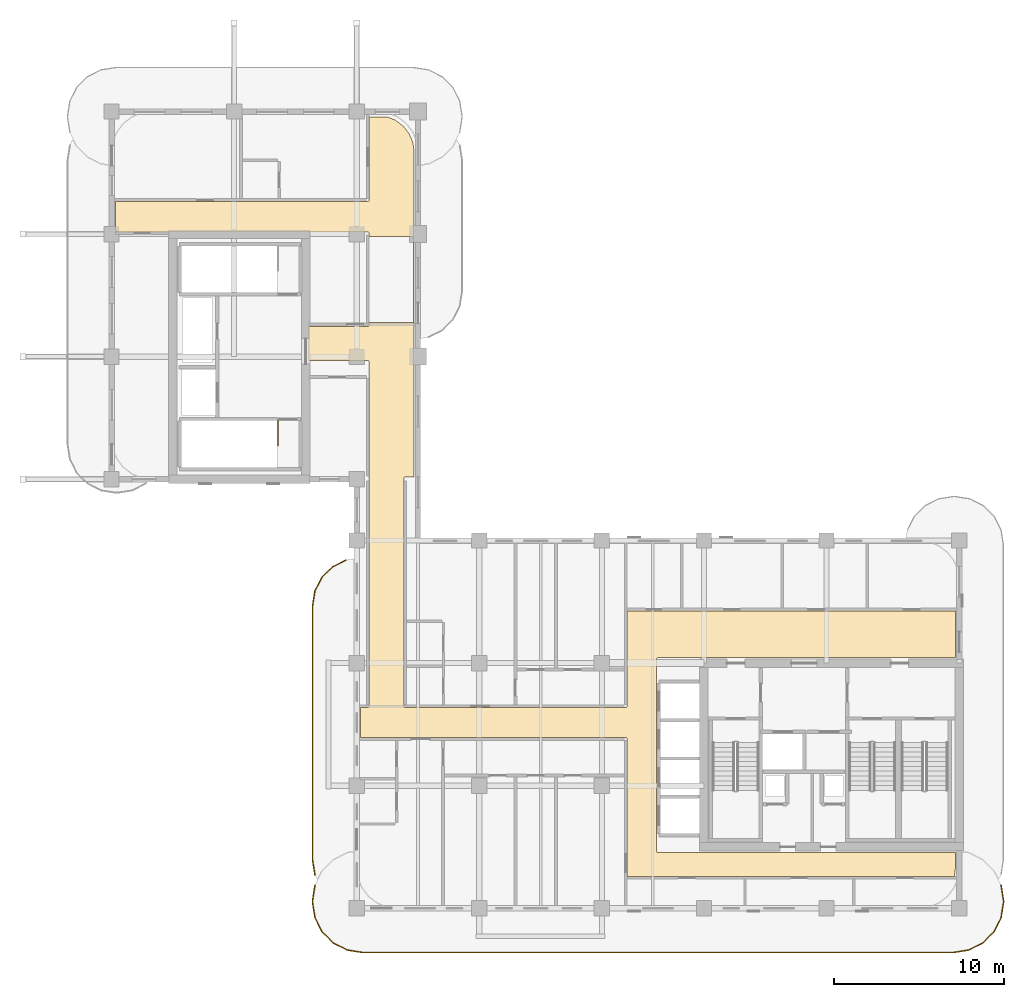
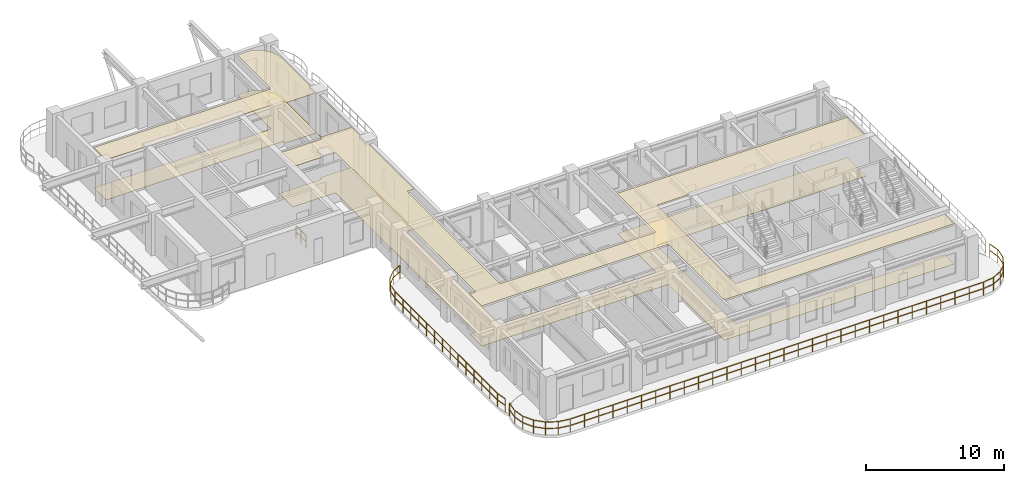
# One storey, part 12 of 14: 3 railings, 2 coverings.
"""IFC4 building model written with IfcOpenShell, lengths in metres."""

import ifcopenshell
import ifcopenshell.guid

model = None  # the IFC model being written
_history = None  # IfcOwnerHistory: only IFC2X3 demands one
_inside = {}  # id of a spatial element -> (the spatial element, [elements in it])
_under = {}  # id of a project, library or spatial element -> (it, [spatial elements below it])
_declared = {}  # id of a project -> (the project, [libraries it declares])
_typed = {}  # id of a type object -> (the type object, [elements of that type])
_made_of = {}  # id of a material, layer set ... -> (it, [elements and type objects made of it])


def new_model(schema):
    """Start an empty IFC model of exactly this schema.

    Asked for "IFC4X3", IfcOpenShell would pick the latest addendum, in which some entities
    have other attributes; the version numbers below select the first issue.
    IFC2X3 requires an IfcOwnerHistory on every rooted entity: one is made here for all.
    """
    global model, _history
    if schema == "IFC4X3":
        model = ifcopenshell.file(schema_version=(4, 3, 0, 0))
    else:
        model = ifcopenshell.file(schema=schema)
    _inside.clear()
    _under.clear()
    _declared.clear()
    _typed.clear()
    _made_of.clear()
    _history = None
    if model.schema == "IFC2X3":
        org = make("IfcOrganization", Name="unknown")
        user = make(
            "IfcPersonAndOrganization",
            ThePerson=make("IfcPerson", FamilyName="unknown"),
            TheOrganization=org,
        )
        app = make(
            "IfcApplication",
            ApplicationDeveloper=org,
            Version="unknown",
            ApplicationFullName="unknown",
            ApplicationIdentifier="unknown",
        )
        _history = make(
            "IfcOwnerHistory",
            OwningUser=user,
            OwningApplication=app,
            ChangeAction="ADDED",
            CreationDate=0,
        )
    return model


def make(cls, **values):
    """One entity of the class cls with the attributes given. An attribute that is None is left unset."""
    return model.create_entity(
        cls, **{name: value for name, value in values.items() if value is not None}
    )


def rooted(cls, **values):
    """An entity with a GlobalId (a new one), such as an element, a storey or a relation."""
    return make(cls, GlobalId=ifcopenshell.guid.new(), OwnerHistory=_history, **values)


def si_unit(unit_type, name, prefix=None):
    """IfcSIUnit, for example si_unit("LENGTHUNIT", "METRE", prefix="MILLI")."""
    return make("IfcSIUnit", UnitType=unit_type, Prefix=prefix, Name=name)


def derived_unit(unit_type, elements):
    """IfcDerivedUnit: a product of units, each with its exponent."""
    return make(
        "IfcDerivedUnit",
        Elements=[
            make("IfcDerivedUnitElement", Unit=unit, Exponent=power)
            for unit, power in elements
        ],
        UnitType=unit_type,
    )


def assignment(units):
    """IfcUnitAssignment: the units of a project."""
    return None if units is None else make("IfcUnitAssignment", Units=units)


def point(xyz):
    """IfcCartesianPoint."""
    return None if xyz is None else make("IfcCartesianPoint", Coordinates=xyz)


def direction(xyz):
    """IfcDirection."""
    return None if xyz is None else make("IfcDirection", DirectionRatios=xyz)


def frame(location, z_axis=None, x_axis=None):
    """IfcAxis2Placement3D, a coordinate frame: its origin and axes. An axis left out is left unset."""
    return make(
        "IfcAxis2Placement3D",
        Location=point(location),
        Axis=direction(z_axis),
        RefDirection=direction(x_axis),
    )


def frame_2d(location, x_axis=None):
    """IfcAxis2Placement2D, a coordinate frame in the plane: its origin and x axis."""
    return make(
        "IfcAxis2Placement2D", Location=point(location), RefDirection=direction(x_axis)
    )


def origin():
    """The frame at (0, 0, 0) with its axes left unset."""
    return frame((0.0, 0.0, 0.0))


def origin_2d():
    """The frame at (0, 0) in the plane with its x axis left unset."""
    return frame_2d((0.0, 0.0))


def place(relative_to, where):
    """IfcLocalPlacement: puts the frame where relative to a parent placement (None: the world)."""
    return make(
        "IfcLocalPlacement", PlacementRelTo=relative_to, RelativePlacement=where
    )


def context(
    kind, dimensions, precision=None, world=None, true_north=None, identifier=None
):
    """IfcGeometricRepresentationContext, for example the 3D "Model" context."""
    return make(
        "IfcGeometricRepresentationContext",
        ContextIdentifier=identifier,
        ContextType=kind,
        CoordinateSpaceDimension=dimensions,
        Precision=precision,
        WorldCoordinateSystem=world,
        TrueNorth=true_north,
    )


def subcontext(parent, identifier, kind, view, scale=None):
    """IfcGeometricRepresentationSubContext, for example "Body" below "Model"."""
    return make(
        "IfcGeometricRepresentationSubContext",
        ContextIdentifier=identifier,
        ContextType=kind,
        ParentContext=parent,
        TargetScale=scale,
        TargetView=view,
    )


def project(units=None, contexts=None):
    """IfcProject with its units and contexts."""
    return rooted(
        "IfcProject",
        Name="project",
        RepresentationContexts=contexts,
        UnitsInContext=assignment(units),
    )


def spatial(cls, under=None, at=None, **own):
    """A site, building, storey or space (cls), placed at a placement, below another one or the project."""
    s = rooted(cls, ObjectPlacement=at, **own)
    if under is not None:
        _under.setdefault(under.id(), (under, []))[1].append(s)
    return s


def polyline(points):
    """IfcPolyline through the points."""
    return make("IfcPolyline", Points=[point(p) for p in points])


def profile(cls, at=None, kind="AREA", **sizes):
    """A parametric profile (cls). Its sizes go by their IFC names, for example OverallWidth=200.0."""
    return make(cls, ProfileType=kind, Position=at, **sizes)


def rectangle(**sizes):
    """IfcRectangleProfileDef."""
    return profile("IfcRectangleProfileDef", **sizes)


def outline(outer, holes=None, kind="AREA"):
    """IfcArbitraryClosedProfileDef: a profile drawn as a closed curve; with holes, ...WithVoids."""
    if holes is None:
        return make("IfcArbitraryClosedProfileDef", ProfileType=kind, OuterCurve=outer)
    return make(
        "IfcArbitraryProfileDefWithVoids",
        ProfileType=kind,
        OuterCurve=outer,
        InnerCurves=holes,
    )


def extrude(swept, where, along, depth):
    """IfcExtrudedAreaSolid: the profile swept, set in the frame where, extruded along a direction by depth."""
    return make(
        "IfcExtrudedAreaSolid",
        SweptArea=swept,
        Position=where,
        ExtrudedDirection=direction(along),
        Depth=depth,
    )


def shape(context_of_items, identifier, shape_type, items):
    """IfcShapeRepresentation: the items that make up one representation, for example the "Body"."""
    return make(
        "IfcShapeRepresentation",
        ContextOfItems=context_of_items,
        RepresentationIdentifier=identifier,
        RepresentationType=shape_type,
        Items=items,
    )


def material(Name=None, Category=None):
    """IfcMaterial."""
    return make("IfcMaterial", Name=Name, Category=Category)


def layer(
    of_material, thickness, ventilated=None, Name=None, Category=None, Priority=None
):
    """IfcMaterialLayer: one layer of a wall or slab, of a material (None: an air gap)."""
    return make(
        "IfcMaterialLayer",
        Material=of_material,
        LayerThickness=thickness,
        IsVentilated=ventilated,
        Name=Name,
        Category=Category,
        Priority=Priority,
    )


def layer_set(layers, Name=None):
    """IfcMaterialLayerSet."""
    return make("IfcMaterialLayerSet", MaterialLayers=layers, LayerSetName=Name)


def made_of(thing, what):
    """Note that an element or type object is made of a material, layer set ...; save() writes the relation."""
    if what is not None:
        _made_of.setdefault(what.id(), (what, []))[1].append(thing)
    return thing


def type_object(cls, material=None, **own):
    """A type object (cls), such as IfcWallType, which elements share."""
    return made_of(rooted(cls, **own), material)


def element(
    cls,
    number,
    at=None,
    inside=None,
    cuts=None,
    type_object=None,
    material=None,
    context=None,
    identifier="Body",
    shape_type=None,
    held_by="IfcProductDefinitionShape",
    body=None,
    shapes=None,
    **own,
):
    """One element of the class cls, such as IfcWall. Its Tag is "e" and its number.

    at: its placement. inside: the storey or other place that contains it. cuts: it is an
    opening in that element (IfcRelVoidsElement). A single representation is given by context,
    identifier, shape_type and body (its items); several are given by shapes. held_by: the class
    of the entity that holds the representations. save() writes the other relations.
    """
    e = rooted(cls, Tag="e%d" % number, ObjectPlacement=at, **own)
    if body is not None:
        shapes = [shape(context, identifier, shape_type, body)]
    if shapes is not None:
        e.Representation = make(held_by, Representations=shapes)
    if inside is not None:
        _inside.setdefault(inside.id(), (inside, []))[1].append(e)
    if cuts is not None:
        rooted(
            "IfcRelVoidsElement", RelatingBuildingElement=cuts, RelatedOpeningElement=e
        )
    if type_object is not None:
        _typed.setdefault(type_object.id(), (type_object, []))[1].append(e)
    return made_of(e, material)


def aggregate(whole, parts):
    """IfcRelAggregates: a whole, such as a stair, and the parts it consists of."""
    return rooted("IfcRelAggregates", RelatingObject=whole, RelatedObjects=parts)


def save(model, path):
    """Write the relations noted so far, then the file.

    IfcRelAggregates (storeys below a building ...), IfcRelContainedInSpatialStructure (elements
    in a storey), IfcRelDefinesByType, IfcRelAssociatesMaterial and IfcRelDeclares: one each for
    every whole, place, type object, material and project.
    """
    for whole, parts in _under.values():
        aggregate(whole, parts)
    for where, things in _inside.values():
        rooted(
            "IfcRelContainedInSpatialStructure",
            RelatedElements=things,
            RelatingStructure=where,
        )
    for kind, things in _typed.values():
        rooted("IfcRelDefinesByType", RelatedObjects=things, RelatingType=kind)
    for what, things in _made_of.values():
        rooted("IfcRelAssociatesMaterial", RelatedObjects=things, RelatingMaterial=what)
    for by, libraries in _declared.values():
        rooted("IfcRelDeclares", RelatingContext=by, RelatedDefinitions=libraries)
    model.write(path)


model = new_model("IFC4")

# Units and contexts
model_context = context("Model", 3, precision=1e-05, world=origin(), true_north=direction((0.0, 1.0)))
body_context = subcontext(model_context, "Body", "Model", "MODEL_VIEW")
ifc_project = project(units=[si_unit("LENGTHUNIT", "METRE"), si_unit("AREAUNIT", "SQUARE_METRE"), si_unit("VOLUMEUNIT", "CUBIC_METRE"), si_unit("PLANEANGLEUNIT", "RADIAN"), si_unit("MASSUNIT", "GRAM", prefix="KILO"), si_unit("THERMODYNAMICTEMPERATUREUNIT", "KELVIN"), si_unit("POWERUNIT", "WATT"), derived_unit("THERMALTRANSMITTANCEUNIT", [(si_unit("POWERUNIT", "WATT"), 1), (si_unit("AREAUNIT", "SQUARE_METRE"), -1), (si_unit("THERMODYNAMICTEMPERATUREUNIT", "KELVIN"), -1)])], contexts=[model_context])

# Site, building, storey
site_placement = place(None, origin())
site = spatial("IfcSite", under=ifc_project, at=site_placement, CompositionType="ELEMENT")
building_placement = place(site_placement, origin())
building = spatial("IfcBuilding", under=site, at=building_placement, Name="Zahravan Archway Hotel and Residences", CompositionType="ELEMENT")
storey_placement = place(building_placement, frame((0.0, 0.0, 209.60009765625)))
storey = spatial("IfcBuildingStorey", under=building, at=storey_placement, Name="L52", CompositionType="ELEMENT", Elevation=209.60009765625)

# Coverings
ifc_material_1 = material(Name="Perforated Acoustic Gypsum Ceiling")
ifc_layer_1 = layer(ifc_material_1, 0.02490234375, Name="Perforated Acoustic Gypsum Ceiling")
ifc_layer_set_1 = layer_set([ifc_layer_1], Name="Perforated Acoustic Gypsum Ceiling")
covering_type_1 = type_object("IfcCoveringType", Name="COV-CEIL-ACST", PredefinedType="CEILING", material=ifc_layer_set_1)
covering_1_placement = place(storey_placement, frame((0.0, 0.0, 3.574951171875)))
element("IfcCovering", 1, at=covering_1_placement, inside=storey, type_object=covering_type_1, Name="L52 Acoustic Corridor Ceiling", PredefinedType="CEILING", context=body_context, shape_type="SweptSolid", body=[
    extrude(outline(polyline([(32.09228515625, 14.7294921875), (32.04931640625, 14.7119140625), (32.0234375, 14.673095703125), (32.02001953125, 3.35009765625), (32.033447265625, 3.3056640625), (32.0693359375, 3.276123046875), (49.580078125, 3.27001953125), (49.580078125, 2.414306640625), (49.509521484375, 1.8798828125), (30.280029296875, 1.8798828125), (30.280029296875, 9.949951171875), (30.2666015625, 9.994384765625), (30.230712890625, 10.02392578125), (14.6201171875, 10.030029296875), (14.6201171875, 11.7900390625), (15.050048828125, 11.7900390625), (15.094482421875, 11.803466796875), (15.123779296875, 11.83935546875), (15.1298828125, 32.10009765625), (15.116455078125, 32.144287109375), (15.08056640625, 32.173828125), (11.530029296875, 32.179931640625), (11.530029296875, 34.169921875), (15.050048828125, 34.169921875), (15.094482421875, 34.18359375), (15.123779296875, 34.219482421875), (15.1298828125, 34.39990234375), (17.719970703125, 34.39990234375), (17.75, 34.427001953125), (17.75, 39.419921875), (17.722900390625, 39.449951171875), (15.1298828125, 39.449951171875), (15.1298828125, 39.64990234375), (15.116455078125, 39.6943359375), (15.08056640625, 39.723876953125), (0.22998046875, 39.72998046875), (0.22998046875, 41.52001953125), (15.050048828125, 41.52001953125), (15.094482421875, 41.533447265625), (15.123779296875, 41.5693359375), (15.1298828125, 46.469970703125), (16.24560546875, 46.469970703125), (16.689208984375, 46.286376953125), (17.14013671875, 45.940185546875), (17.486328125, 45.489013671875), (17.703857421875, 44.9638671875), (17.77001953125, 44.46142578125), (17.77001953125, 25.330078125), (17.25, 25.330078125), (17.20556640625, 25.31640625), (17.176025390625, 25.280517578125), (17.169921875, 11.8701171875), (17.18359375, 11.82568359375), (17.219482421875, 11.796142578125), (30.199951171875, 11.7900390625), (30.244384765625, 11.803466796875), (30.27392578125, 11.83935546875), (30.280029296875, 17.469970703125), (49.580078125, 17.469970703125), (49.580078125, 14.72998046875), (32.10009765625, 14.72998046875), (32.09228515625, 14.7294921875)])), origin(), (0.0, 0.0, 1.0), 0.02490234375),
])
ifc_material_2 = material(Name="Honed Margalla Limestone & Mortar Bed", Category="masonry")
ifc_layer_2 = layer(ifc_material_2, 0.030029296875, Name="Honed Margalla Limestone & Mortar Bed", Category="masonry")
ifc_layer_set_2 = layer_set([ifc_layer_2], Name="Honed Margalla Limestone & Mortar Bed")
covering_type_2 = type_object("IfcCoveringType", Name="COV-FLR-STONE", PredefinedType="FLOORING", material=ifc_layer_set_2)
covering_2_placement = place(storey_placement, origin())
element("IfcCovering", 2, at=covering_2_placement, inside=storey, type_object=covering_type_2, Name="L52 Circulation Floor Finish", PredefinedType="FLOORING", context=body_context, shape_type="SweptSolid", body=[
    extrude(outline(polyline([(32.09228515625, 14.7294921875), (32.04931640625, 14.7119140625), (32.0234375, 14.673095703125), (32.02001953125, 3.35009765625), (32.033447265625, 3.3056640625), (32.0693359375, 3.276123046875), (49.580078125, 3.27001953125), (49.580078125, 2.414306640625), (49.509521484375, 1.8798828125), (30.280029296875, 1.8798828125), (30.280029296875, 9.949951171875), (30.2666015625, 9.994384765625), (30.230712890625, 10.02392578125), (14.6201171875, 10.030029296875), (14.6201171875, 11.7900390625), (15.050048828125, 11.7900390625), (15.094482421875, 11.803466796875), (15.123779296875, 11.83935546875), (15.1298828125, 32.10009765625), (15.116455078125, 32.144287109375), (15.08056640625, 32.173828125), (11.530029296875, 32.179931640625), (11.530029296875, 34.169921875), (15.050048828125, 34.169921875), (15.094482421875, 34.18359375), (15.123779296875, 34.219482421875), (15.1298828125, 34.39990234375), (17.719970703125, 34.39990234375), (17.75, 34.427001953125), (17.75, 39.419921875), (17.722900390625, 39.449951171875), (15.1298828125, 39.449951171875), (15.1298828125, 39.64990234375), (15.116455078125, 39.6943359375), (15.08056640625, 39.723876953125), (0.22998046875, 39.72998046875), (0.22998046875, 41.52001953125), (15.050048828125, 41.52001953125), (15.094482421875, 41.533447265625), (15.123779296875, 41.5693359375), (15.1298828125, 46.469970703125), (16.24560546875, 46.469970703125), (16.689208984375, 46.286376953125), (17.14013671875, 45.940185546875), (17.486328125, 45.489013671875), (17.703857421875, 44.9638671875), (17.77001953125, 44.46142578125), (17.77001953125, 25.330078125), (17.25, 25.330078125), (17.20556640625, 25.31640625), (17.176025390625, 25.280517578125), (17.169921875, 11.8701171875), (17.18359375, 11.82568359375), (17.219482421875, 11.796142578125), (30.199951171875, 11.7900390625), (30.244384765625, 11.803466796875), (30.27392578125, 11.83935546875), (30.280029296875, 17.469970703125), (49.580078125, 17.469970703125), (49.580078125, 14.72998046875), (32.10009765625, 14.72998046875), (32.09228515625, 14.7294921875)])), origin(), (0.0, 0.0, 1.0), 0.02978515625),
])

# Railings
ifc_material_3 = material(Name="Bronze & Laminated Glass Balustrade", Category="glass")
railing_type_1 = type_object("IfcRailingType", Name="RL-BAL-1200", PredefinedType="BALUSTRADE", material=ifc_material_3)
railing_1_placement = place(storey_placement, frame((52.255615234375, 1.361572265625, 0.0)))
element("IfcRailing", 3, at=railing_1_placement, inside=storey, type_object=railing_type_1, Name="L52 Balustrade RL-SLB-BAL-L52-SA-1", PredefinedType="BALUSTRADE", context=body_context, shape_type="SweptSolid", body=[
    extrude(rectangle(XDim=0.048095703125, YDim=0.048095703125, at=origin_2d()), frame((0.0, 0.0, 1.17578125), z_axis=(0.156329311416, -0.987704989555, 0.0), x_axis=(0.987704989555, 0.156329311416, 0.0)), (0.0, 0.0, 1.0), 0.9228515625),
    extrude(rectangle(XDim=0.048095703125, YDim=0.048095703125, at=origin_2d()), frame((0.0, 0.0, 0.60009765625), z_axis=(0.156329311416, -0.987704989555, 0.0), x_axis=(0.987704989555, 0.156329311416, 0.0)), (0.0, 0.0, 1.0), 0.9228515625),
    extrude(rectangle(XDim=0.048095703125, YDim=0.048095703125, at=origin_2d()), frame((0.144287109375, -0.91162109375, 1.17578125), z_axis=(0.0, -1.0, 0.0), x_axis=(1.0, 0.0, 0.0)), (0.0, 0.0, 1.0), 0.099853515625),
    extrude(rectangle(XDim=0.048095703125, YDim=0.048095703125, at=origin_2d()), frame((0.144287109375, -0.91162109375, 0.60009765625), z_axis=(0.0, -1.0, 0.0), x_axis=(1.0, 0.0, 0.0)), (0.0, 0.0, 1.0), 0.099853515625),
    extrude(rectangle(XDim=0.048095703125, YDim=0.048095703125, at=origin_2d()), frame((0.144287109375, -1.011474609375, 1.17578125), z_axis=(-0.156329311416, -0.987704989555, 0.0), x_axis=(0.987704989555, -0.156329311416, 0.0)), (0.0, 0.0, 1.0), 0.9228515625),
    extrude(rectangle(XDim=0.048095703125, YDim=0.048095703125, at=origin_2d()), frame((0.144287109375, -1.011474609375, 0.60009765625), z_axis=(-0.156329311416, -0.987704989555, 0.0), x_axis=(0.987704989555, -0.156329311416, 0.0)), (0.0, 0.0, 1.0), 0.9228515625),
    extrude(rectangle(XDim=0.048095703125, YDim=0.048095703125, at=origin_2d()), frame((0.0, -1.923095703125, 1.17578125), z_axis=(-0.453866348456, -0.891069771532, 0.0), x_axis=(0.891069771532, -0.453866348456, 0.0)), (0.0, 0.0, 1.0), 0.923095703125),
    extrude(rectangle(XDim=0.048095703125, YDim=0.048095703125, at=origin_2d()), frame((0.0, -1.923095703125, 0.60009765625), z_axis=(-0.453866348456, -0.891069771532, 0.0), x_axis=(0.891069771532, -0.453866348456, 0.0)), (0.0, 0.0, 1.0), 0.923095703125),
    extrude(rectangle(XDim=0.048095703125, YDim=0.048095703125, at=origin_2d()), frame((-0.4189453125, -2.74560546875, 1.17578125), z_axis=(-0.707106781187, -0.707106781187, 0.0), x_axis=(0.707106781187, -0.707106781187, 0.0)), (0.0, 0.0, 1.0), 0.9228515625),
    extrude(rectangle(XDim=0.048095703125, YDim=0.048095703125, at=origin_2d()), frame((-0.4189453125, -2.74560546875, 0.60009765625), z_axis=(-0.707106781187, -0.707106781187, 0.0), x_axis=(0.707106781187, -0.707106781187, 0.0)), (0.0, 0.0, 1.0), 0.9228515625),
    extrude(rectangle(XDim=0.048095703125, YDim=0.048095703125, at=origin_2d()), frame((-1.071533203125, -3.398193359375, 1.17578125), z_axis=(-0.891069771532, -0.453866348456, 0.0), x_axis=(0.453866348456, -0.891069771532, 0.0)), (0.0, 0.0, 1.0), 0.923095703125),
    extrude(rectangle(XDim=0.048095703125, YDim=0.048095703125, at=origin_2d()), frame((-1.071533203125, -3.398193359375, 0.60009765625), z_axis=(-0.891069771532, -0.453866348456, 0.0), x_axis=(0.453866348456, -0.891069771532, 0.0)), (0.0, 0.0, 1.0), 0.923095703125),
    extrude(rectangle(XDim=0.048095703125, YDim=0.048095703125, at=origin_2d()), frame((-1.89404296875, -3.817138671875, 1.17578125), z_axis=(-0.98766411426, -0.156587347521, 0.0), x_axis=(0.156587347521, -0.98766411426, 0.0)), (0.0, 0.0, 1.0), 0.923095703125),
    extrude(rectangle(XDim=0.048095703125, YDim=0.048095703125, at=origin_2d()), frame((-1.89404296875, -3.817138671875, 0.60009765625), z_axis=(-0.98766411426, -0.156587347521, 0.0), x_axis=(0.156587347521, -0.98766411426, 0.0)), (0.0, 0.0, 1.0), 0.923095703125),
    extrude(rectangle(XDim=0.048095703125, YDim=0.048095703125, at=origin_2d()), frame((-2.8056640625, -3.961669921875, 1.17578125), z_axis=(-1.0, 0.0, 0.0), x_axis=(0.0, -1.0, 0.0)), (0.0, 0.0, 1.0), 34.699951171875),
    extrude(rectangle(XDim=0.048095703125, YDim=0.048095703125, at=origin_2d()), frame((-2.8056640625, -3.961669921875, 0.60009765625), z_axis=(-1.0, 0.0, 0.0), x_axis=(0.0, -1.0, 0.0)), (0.0, 0.0, 1.0), 34.699951171875),
    extrude(rectangle(XDim=0.048095703125, YDim=0.048095703125, at=origin_2d()), frame((-37.505615234375, -3.961669921875, 1.17578125), z_axis=(-0.98766411426, 0.156587347521, 0.0), x_axis=(-0.156587347521, -0.98766411426, 0.0)), (0.0, 0.0, 1.0), 0.923095703125),
    extrude(rectangle(XDim=0.048095703125, YDim=0.048095703125, at=origin_2d()), frame((-37.505615234375, -3.961669921875, 0.60009765625), z_axis=(-0.98766411426, 0.156587347521, 0.0), x_axis=(-0.156587347521, -0.98766411426, 0.0)), (0.0, 0.0, 1.0), 0.923095703125),
    extrude(rectangle(XDim=0.048095703125, YDim=0.048095703125, at=origin_2d()), frame((-38.417236328125, -3.817138671875, 1.17578125), z_axis=(-0.891015268556, 0.453973337542, 0.0), x_axis=(-0.453973337542, -0.891015268556, 0.0)), (0.0, 0.0, 1.0), 0.9228515625),
    extrude(rectangle(XDim=0.048095703125, YDim=0.048095703125, at=origin_2d()), frame((-38.417236328125, -3.817138671875, 0.60009765625), z_axis=(-0.891015268556, 0.453973337542, 0.0), x_axis=(-0.453973337542, -0.891015268556, 0.0)), (0.0, 0.0, 1.0), 0.9228515625),
    extrude(rectangle(XDim=0.048095703125, YDim=0.048095703125, at=origin_2d()), frame((-39.239501953125, -3.398193359375, 1.17578125), z_axis=(-0.707239012465, 0.706974525176, 0.0), x_axis=(-0.706974525176, -0.707239012465, 0.0)), (0.0, 0.0, 1.0), 0.923095703125),
    extrude(rectangle(XDim=0.048095703125, YDim=0.048095703125, at=origin_2d()), frame((-39.239501953125, -3.398193359375, 0.60009765625), z_axis=(-0.707239012465, 0.706974525176, 0.0), x_axis=(-0.706974525176, -0.707239012465, 0.0)), (0.0, 0.0, 1.0), 0.923095703125),
    extrude(rectangle(XDim=0.048095703125, YDim=0.048095703125, at=origin_2d()), frame((-39.892333984375, -2.74560546875, 1.17578125), z_axis=(-0.453866348456, 0.891069771532, 0.0), x_axis=(-0.891069771532, -0.453866348456, 0.0)), (0.0, 0.0, 1.0), 0.923095703125),
    extrude(rectangle(XDim=0.048095703125, YDim=0.048095703125, at=origin_2d()), frame((-39.892333984375, -2.74560546875, 0.60009765625), z_axis=(-0.453866348456, 0.891069771532, 0.0), x_axis=(-0.891069771532, -0.453866348456, 0.0)), (0.0, 0.0, 1.0), 0.923095703125),
    extrude(rectangle(XDim=0.048095703125, YDim=0.048095703125, at=origin_2d()), frame((-40.311279296875, -1.923095703125, 1.17578125), z_axis=(-0.156329311416, 0.987704989555, 0.0), x_axis=(-0.987704989555, -0.156329311416, 0.0)), (0.0, 0.0, 1.0), 0.9228515625),
    extrude(rectangle(XDim=0.048095703125, YDim=0.048095703125, at=origin_2d()), frame((-40.311279296875, -1.923095703125, 0.60009765625), z_axis=(-0.156329311416, 0.987704989555, 0.0), x_axis=(-0.987704989555, -0.156329311416, 0.0)), (0.0, 0.0, 1.0), 0.9228515625),
    extrude(rectangle(XDim=0.048095703125, YDim=0.048095703125, at=origin_2d()), frame((-40.45556640625, -1.011474609375, 1.17578125), z_axis=(0.0, 1.0, 0.0), x_axis=(-1.0, 0.0, 0.0)), (0.0, 0.0, 1.0), 0.099853515625),
    extrude(rectangle(XDim=0.048095703125, YDim=0.048095703125, at=origin_2d()), frame((-40.45556640625, -1.011474609375, 0.60009765625), z_axis=(0.0, 1.0, 0.0), x_axis=(-1.0, 0.0, 0.0)), (0.0, 0.0, 1.0), 0.099853515625),
    extrude(rectangle(XDim=0.048095703125, YDim=0.048095703125, at=origin_2d()), frame((-40.45556640625, -0.91162109375, 1.17578125), z_axis=(0.156329311416, 0.987704989555, 0.0), x_axis=(-0.987704989555, 0.156329311416, 0.0)), (0.0, 0.0, 1.0), 0.9228515625),
    extrude(rectangle(XDim=0.048095703125, YDim=0.048095703125, at=origin_2d()), frame((-40.45556640625, -0.91162109375, 0.60009765625), z_axis=(0.156329311416, 0.987704989555, 0.0), x_axis=(-0.987704989555, 0.156329311416, 0.0)), (0.0, 0.0, 1.0), 0.9228515625),
    extrude(rectangle(XDim=0.0419921875, YDim=0.0419921875, at=origin_2d()), origin(), (0.0, 0.0, 1.0), 1.15185546875),
    extrude(rectangle(XDim=0.0419921875, YDim=0.0419921875, at=origin_2d()), frame((0.144287109375, -0.91162109375, 0.0)), (0.0, 0.0, 1.0), 1.15185546875),
    extrude(rectangle(XDim=0.0419921875, YDim=0.0419921875, at=origin_2d()), frame((0.0, -1.923095703125, 0.0)), (0.0, 0.0, 1.0), 1.15185546875),
    extrude(rectangle(XDim=0.0419921875, YDim=0.0419921875, at=origin_2d()), frame((-0.4189453125, -2.74560546875, 0.0)), (0.0, 0.0, 1.0), 1.15185546875),
    extrude(rectangle(XDim=0.0419921875, YDim=0.0419921875, at=origin_2d()), frame((-1.071533203125, -3.398193359375, 0.0)), (0.0, 0.0, 1.0), 1.15185546875),
    extrude(rectangle(XDim=0.0419921875, YDim=0.0419921875, at=origin_2d()), frame((-1.89404296875, -3.817138671875, 0.0)), (0.0, 0.0, 1.0), 1.15185546875),
    extrude(rectangle(XDim=0.0419921875, YDim=0.0419921875, at=origin_2d()), frame((-2.8056640625, -3.961669921875, 0.0)), (0.0, 0.0, 1.0), 1.15185546875),
    extrude(rectangle(XDim=0.0419921875, YDim=0.0419921875, at=origin_2d()), frame((-4.002197265625, -3.961669921875, 0.0)), (0.0, 0.0, 1.0), 1.15185546875),
    extrude(rectangle(XDim=0.0419921875, YDim=0.0419921875, at=origin_2d()), frame((-5.19873046875, -3.961669921875, 0.0)), (0.0, 0.0, 1.0), 1.15185546875),
    extrude(rectangle(XDim=0.0419921875, YDim=0.0419921875, at=origin_2d()), frame((-6.395263671875, -3.961669921875, 0.0)), (0.0, 0.0, 1.0), 1.15185546875),
    extrude(rectangle(XDim=0.0419921875, YDim=0.0419921875, at=origin_2d()), frame((-7.591796875, -3.961669921875, 0.0)), (0.0, 0.0, 1.0), 1.15185546875),
    extrude(rectangle(XDim=0.0419921875, YDim=0.0419921875, at=origin_2d()), frame((-8.788330078125, -3.961669921875, 0.0)), (0.0, 0.0, 1.0), 1.15185546875),
    extrude(rectangle(XDim=0.0419921875, YDim=0.0419921875, at=origin_2d()), frame((-9.98486328125, -3.961669921875, 0.0)), (0.0, 0.0, 1.0), 1.15185546875),
    extrude(rectangle(XDim=0.0419921875, YDim=0.0419921875, at=origin_2d()), frame((-11.181396484375, -3.961669921875, 0.0)), (0.0, 0.0, 1.0), 1.15185546875),
    extrude(rectangle(XDim=0.0419921875, YDim=0.0419921875, at=origin_2d()), frame((-12.378173828125, -3.961669921875, 0.0)), (0.0, 0.0, 1.0), 1.15185546875),
    extrude(rectangle(XDim=0.0419921875, YDim=0.0419921875, at=origin_2d()), frame((-13.57470703125, -3.961669921875, 0.0)), (0.0, 0.0, 1.0), 1.15185546875),
    extrude(rectangle(XDim=0.0419921875, YDim=0.0419921875, at=origin_2d()), frame((-14.771240234375, -3.961669921875, 0.0)), (0.0, 0.0, 1.0), 1.15185546875),
    extrude(rectangle(XDim=0.0419921875, YDim=0.0419921875, at=origin_2d()), frame((-15.9677734375, -3.961669921875, 0.0)), (0.0, 0.0, 1.0), 1.15185546875),
    extrude(rectangle(XDim=0.0419921875, YDim=0.0419921875, at=origin_2d()), frame((-17.164306640625, -3.961669921875, 0.0)), (0.0, 0.0, 1.0), 1.15185546875),
    extrude(rectangle(XDim=0.0419921875, YDim=0.0419921875, at=origin_2d()), frame((-18.36083984375, -3.961669921875, 0.0)), (0.0, 0.0, 1.0), 1.15185546875),
    extrude(rectangle(XDim=0.0419921875, YDim=0.0419921875, at=origin_2d()), frame((-19.557373046875, -3.961669921875, 0.0)), (0.0, 0.0, 1.0), 1.15185546875),
    extrude(rectangle(XDim=0.0419921875, YDim=0.0419921875, at=origin_2d()), frame((-20.75390625, -3.961669921875, 0.0)), (0.0, 0.0, 1.0), 1.15185546875),
    extrude(rectangle(XDim=0.0419921875, YDim=0.0419921875, at=origin_2d()), frame((-21.950439453125, -3.961669921875, 0.0)), (0.0, 0.0, 1.0), 1.15185546875),
    extrude(rectangle(XDim=0.0419921875, YDim=0.0419921875, at=origin_2d()), frame((-23.14697265625, -3.961669921875, 0.0)), (0.0, 0.0, 1.0), 1.15185546875),
    extrude(rectangle(XDim=0.0419921875, YDim=0.0419921875, at=origin_2d()), frame((-24.343505859375, -3.961669921875, 0.0)), (0.0, 0.0, 1.0), 1.15185546875),
    extrude(rectangle(XDim=0.0419921875, YDim=0.0419921875, at=origin_2d()), frame((-25.5400390625, -3.961669921875, 0.0)), (0.0, 0.0, 1.0), 1.15185546875),
    extrude(rectangle(XDim=0.0419921875, YDim=0.0419921875, at=origin_2d()), frame((-26.736572265625, -3.961669921875, 0.0)), (0.0, 0.0, 1.0), 1.15185546875),
    extrude(rectangle(XDim=0.0419921875, YDim=0.0419921875, at=origin_2d()), frame((-27.93310546875, -3.961669921875, 0.0)), (0.0, 0.0, 1.0), 1.15185546875),
    extrude(rectangle(XDim=0.0419921875, YDim=0.0419921875, at=origin_2d()), frame((-29.1298828125, -3.961669921875, 0.0)), (0.0, 0.0, 1.0), 1.15185546875),
    extrude(rectangle(XDim=0.0419921875, YDim=0.0419921875, at=origin_2d()), frame((-30.326416015625, -3.961669921875, 0.0)), (0.0, 0.0, 1.0), 1.15185546875),
    extrude(rectangle(XDim=0.0419921875, YDim=0.0419921875, at=origin_2d()), frame((-31.52294921875, -3.961669921875, 0.0)), (0.0, 0.0, 1.0), 1.15185546875),
    extrude(rectangle(XDim=0.0419921875, YDim=0.0419921875, at=origin_2d()), frame((-32.719482421875, -3.961669921875, 0.0)), (0.0, 0.0, 1.0), 1.15185546875),
    extrude(rectangle(XDim=0.0419921875, YDim=0.0419921875, at=origin_2d()), frame((-33.916015625, -3.961669921875, 0.0)), (0.0, 0.0, 1.0), 1.15185546875),
    extrude(rectangle(XDim=0.0419921875, YDim=0.0419921875, at=origin_2d()), frame((-35.112548828125, -3.961669921875, 0.0)), (0.0, 0.0, 1.0), 1.15185546875),
    extrude(rectangle(XDim=0.0419921875, YDim=0.0419921875, at=origin_2d()), frame((-36.30908203125, -3.961669921875, 0.0)), (0.0, 0.0, 1.0), 1.15185546875),
    extrude(rectangle(XDim=0.0419921875, YDim=0.0419921875, at=origin_2d()), frame((-37.505615234375, -3.961669921875, 0.0)), (0.0, 0.0, 1.0), 1.15185546875),
    extrude(rectangle(XDim=0.0419921875, YDim=0.0419921875, at=origin_2d()), frame((-38.417236328125, -3.817138671875, 0.0)), (0.0, 0.0, 1.0), 1.15185546875),
    extrude(rectangle(XDim=0.0419921875, YDim=0.0419921875, at=origin_2d()), frame((-39.239501953125, -3.398193359375, 0.0)), (0.0, 0.0, 1.0), 1.15185546875),
    extrude(rectangle(XDim=0.0419921875, YDim=0.0419921875, at=origin_2d()), frame((-39.892333984375, -2.74560546875, 0.0)), (0.0, 0.0, 1.0), 1.15185546875),
    extrude(rectangle(XDim=0.0419921875, YDim=0.0419921875, at=origin_2d()), frame((-40.311279296875, -1.923095703125, 0.0)), (0.0, 0.0, 1.0), 1.15185546875),
    extrude(rectangle(XDim=0.0419921875, YDim=0.0419921875, at=origin_2d()), frame((-40.45556640625, -1.011474609375, 0.0)), (0.0, 0.0, 1.0), 1.15185546875),
    extrude(rectangle(XDim=0.0419921875, YDim=0.0419921875, at=origin_2d()), frame((-40.311279296875, 0.0, 0.0)), (0.0, 0.0, 1.0), 1.15185546875),
])
railing_2_placement = place(storey_placement, frame((11.939453125, 1.96923828125, 0.0)))
element("IfcRailing", 4, at=railing_2_placement, inside=storey, type_object=railing_type_1, Name="L52 Balustrade RL-SLB-BAL-L52-WA-1", PredefinedType="BALUSTRADE", context=body_context, shape_type="SweptSolid", body=[
    extrude(rectangle(XDim=0.048095703125, YDim=0.048095703125, at=origin_2d()), frame((0.0, 0.0, 1.17578125), z_axis=(-0.156314005608, 0.987707411965, 0.0), x_axis=(-0.987707411965, -0.156314005608, 0.0)), (0.0, 0.0, 1.0), 0.891845703125),
    extrude(rectangle(XDim=0.048095703125, YDim=0.048095703125, at=origin_2d()), frame((0.0, 0.0, 0.60009765625), z_axis=(-0.156314005608, 0.987707411965, 0.0), x_axis=(-0.987707411965, -0.156314005608, 0.0)), (0.0, 0.0, 1.0), 0.891845703125),
    extrude(rectangle(XDim=0.048095703125, YDim=0.048095703125, at=origin_2d()), frame((-0.139404296875, 0.880859375, 1.17578125), z_axis=(0.0, 1.0, 0.0), x_axis=(-1.0, 0.0, 0.0)), (0.0, 0.0, 1.0), 14.89990234375),
    extrude(rectangle(XDim=0.048095703125, YDim=0.048095703125, at=origin_2d()), frame((-0.139404296875, 0.880859375, 0.60009765625), z_axis=(0.0, 1.0, 0.0), x_axis=(-1.0, 0.0, 0.0)), (0.0, 0.0, 1.0), 14.89990234375),
    extrude(rectangle(XDim=0.048095703125, YDim=0.048095703125, at=origin_2d()), frame((-0.139404296875, 15.78076171875, 1.17578125), z_axis=(0.156356282588, 0.987700720307, 0.0), x_axis=(-0.987700720307, 0.156356282588, 0.0)), (0.0, 0.0, 1.0), 0.8916015625),
    extrude(rectangle(XDim=0.048095703125, YDim=0.048095703125, at=origin_2d()), frame((-0.139404296875, 15.78076171875, 0.60009765625), z_axis=(0.156356282588, 0.987700720307, 0.0), x_axis=(-0.987700720307, 0.156356282588, 0.0)), (0.0, 0.0, 1.0), 0.8916015625),
    extrude(rectangle(XDim=0.048095703125, YDim=0.048095703125, at=origin_2d()), frame((0.0, 16.661376953125, 1.17578125), z_axis=(0.45388067135, 0.891062476022, 0.0), x_axis=(-0.891062476022, 0.45388067135, 0.0)), (0.0, 0.0, 1.0), 0.891845703125),
    extrude(rectangle(XDim=0.048095703125, YDim=0.048095703125, at=origin_2d()), frame((0.0, 16.661376953125, 0.60009765625), z_axis=(0.45388067135, 0.891062476022, 0.0), x_axis=(-0.891062476022, 0.45388067135, 0.0)), (0.0, 0.0, 1.0), 0.891845703125),
    extrude(rectangle(XDim=0.048095703125, YDim=0.048095703125, at=origin_2d()), frame((0.40478515625, 17.4560546875, 1.17578125), z_axis=(0.70724367147, 0.706969864397, 0.0), x_axis=(-0.706969864397, 0.70724367147, 0.0)), (0.0, 0.0, 1.0), 0.8916015625),
    extrude(rectangle(XDim=0.048095703125, YDim=0.048095703125, at=origin_2d()), frame((0.40478515625, 17.4560546875, 0.60009765625), z_axis=(0.70724367147, 0.706969864397, 0.0), x_axis=(-0.706969864397, 0.70724367147, 0.0)), (0.0, 0.0, 1.0), 0.8916015625),
    extrude(rectangle(XDim=0.048095703125, YDim=0.048095703125, at=origin_2d()), frame((1.035400390625, 18.08642578125, 1.17578125), z_axis=(0.891006060389, 0.453991409995, 0.0), x_axis=(-0.453991409995, 0.891006060389, 0.0)), (0.0, 0.0, 1.0), 0.8916015625),
    extrude(rectangle(XDim=0.048095703125, YDim=0.048095703125, at=origin_2d()), frame((1.035400390625, 18.08642578125, 0.60009765625), z_axis=(0.891006060389, 0.453991409995, 0.0), x_axis=(-0.453991409995, 0.891006060389, 0.0)), (0.0, 0.0, 1.0), 0.8916015625),
    extrude(rectangle(XDim=0.0419921875, YDim=0.0419921875, at=origin_2d()), origin(), (0.0, 0.0, 1.0), 1.15185546875),
    extrude(rectangle(XDim=0.0419921875, YDim=0.0419921875, at=origin_2d()), frame((-0.139404296875, 0.880859375, 0.0)), (0.0, 0.0, 1.0), 1.15185546875),
    extrude(rectangle(XDim=0.0419921875, YDim=0.0419921875, at=origin_2d()), frame((-0.139404296875, 2.027099609375, 0.0)), (0.0, 0.0, 1.0), 1.15185546875),
    extrude(rectangle(XDim=0.0419921875, YDim=0.0419921875, at=origin_2d()), frame((-0.139404296875, 3.173095703125, 0.0)), (0.0, 0.0, 1.0), 1.15185546875),
    extrude(rectangle(XDim=0.0419921875, YDim=0.0419921875, at=origin_2d()), frame((-0.139404296875, 4.3193359375, 0.0)), (0.0, 0.0, 1.0), 1.15185546875),
    extrude(rectangle(XDim=0.0419921875, YDim=0.0419921875, at=origin_2d()), frame((-0.139404296875, 5.46533203125, 0.0)), (0.0, 0.0, 1.0), 1.15185546875),
    extrude(rectangle(XDim=0.0419921875, YDim=0.0419921875, at=origin_2d()), frame((-0.139404296875, 6.611572265625, 0.0)), (0.0, 0.0, 1.0), 1.15185546875),
    extrude(rectangle(XDim=0.0419921875, YDim=0.0419921875, at=origin_2d()), frame((-0.139404296875, 7.7578125, 0.0)), (0.0, 0.0, 1.0), 1.15185546875),
    extrude(rectangle(XDim=0.0419921875, YDim=0.0419921875, at=origin_2d()), frame((-0.139404296875, 8.90380859375, 0.0)), (0.0, 0.0, 1.0), 1.15185546875),
    extrude(rectangle(XDim=0.0419921875, YDim=0.0419921875, at=origin_2d()), frame((-0.139404296875, 10.050048828125, 0.0)), (0.0, 0.0, 1.0), 1.15185546875),
    extrude(rectangle(XDim=0.0419921875, YDim=0.0419921875, at=origin_2d()), frame((-0.139404296875, 11.1962890625, 0.0)), (0.0, 0.0, 1.0), 1.15185546875),
    extrude(rectangle(XDim=0.0419921875, YDim=0.0419921875, at=origin_2d()), frame((-0.139404296875, 12.34228515625, 0.0)), (0.0, 0.0, 1.0), 1.15185546875),
    extrude(rectangle(XDim=0.0419921875, YDim=0.0419921875, at=origin_2d()), frame((-0.139404296875, 13.488525390625, 0.0)), (0.0, 0.0, 1.0), 1.15185546875),
    extrude(rectangle(XDim=0.0419921875, YDim=0.0419921875, at=origin_2d()), frame((-0.139404296875, 14.634521484375, 0.0)), (0.0, 0.0, 1.0), 1.15185546875),
    extrude(rectangle(XDim=0.0419921875, YDim=0.0419921875, at=origin_2d()), frame((-0.139404296875, 15.78076171875, 0.0)), (0.0, 0.0, 1.0), 1.15185546875),
    extrude(rectangle(XDim=0.0419921875, YDim=0.0419921875, at=origin_2d()), frame((0.0, 16.661376953125, 0.0)), (0.0, 0.0, 1.0), 1.15185546875),
    extrude(rectangle(XDim=0.0419921875, YDim=0.0419921875, at=origin_2d()), frame((0.40478515625, 17.4560546875, 0.0)), (0.0, 0.0, 1.0), 1.15185546875),
    extrude(rectangle(XDim=0.0419921875, YDim=0.0419921875, at=origin_2d()), frame((1.035400390625, 18.08642578125, 0.0)), (0.0, 0.0, 1.0), 1.15185546875),
    extrude(rectangle(XDim=0.0419921875, YDim=0.0419921875, at=origin_2d()), frame((1.829833984375, 18.4912109375, 0.0)), (0.0, 0.0, 1.0), 1.15185546875),
])
ifc_material_4 = material(Name="Painted Tubular Steel", Category="steel")
railing_type_2 = type_object("IfcRailingType", Name="RL-STG-1150", PredefinedType="GUARDRAIL", material=ifc_material_4)
railing_3_placement = place(storey_placement, frame((9.780029296875, 28.639892578125, 0.0)))
element("IfcRailing", 5, at=railing_3_placement, inside=storey, type_object=railing_type_2, Name="L52 ST-B1 top well guard 1", PredefinedType="GUARDRAIL", context=body_context, shape_type="SweptSolid", body=[
    extrude(rectangle(XDim=0.048095703125, YDim=0.048095703125, at=origin_2d()), frame((0.0, 0.0, 1.1259765625), z_axis=(0.0, -1.0, 0.0), x_axis=(1.0, 0.0, 0.0)), (0.0, 0.0, 1.0), 1.43994140625),
    extrude(rectangle(XDim=0.048095703125, YDim=0.048095703125, at=origin_2d()), frame((0.0, 0.0, 0.574951171875), z_axis=(0.0, -1.0, 0.0), x_axis=(1.0, 0.0, 0.0)), (0.0, 0.0, 1.0), 1.43994140625),
    extrude(rectangle(XDim=0.0419921875, YDim=0.0419921875, at=origin_2d()), origin(), (0.0, 0.0, 1.0), 1.101806640625),
    extrude(rectangle(XDim=0.0419921875, YDim=0.0419921875, at=origin_2d()), frame((0.0, -0.719970703125, 0.0)), (0.0, 0.0, 1.0), 1.101806640625),
    extrude(rectangle(XDim=0.0419921875, YDim=0.0419921875, at=origin_2d()), frame((0.0, -1.43994140625, 0.0)), (0.0, 0.0, 1.0), 1.101806640625),
])

save(model, "model.ifc")
